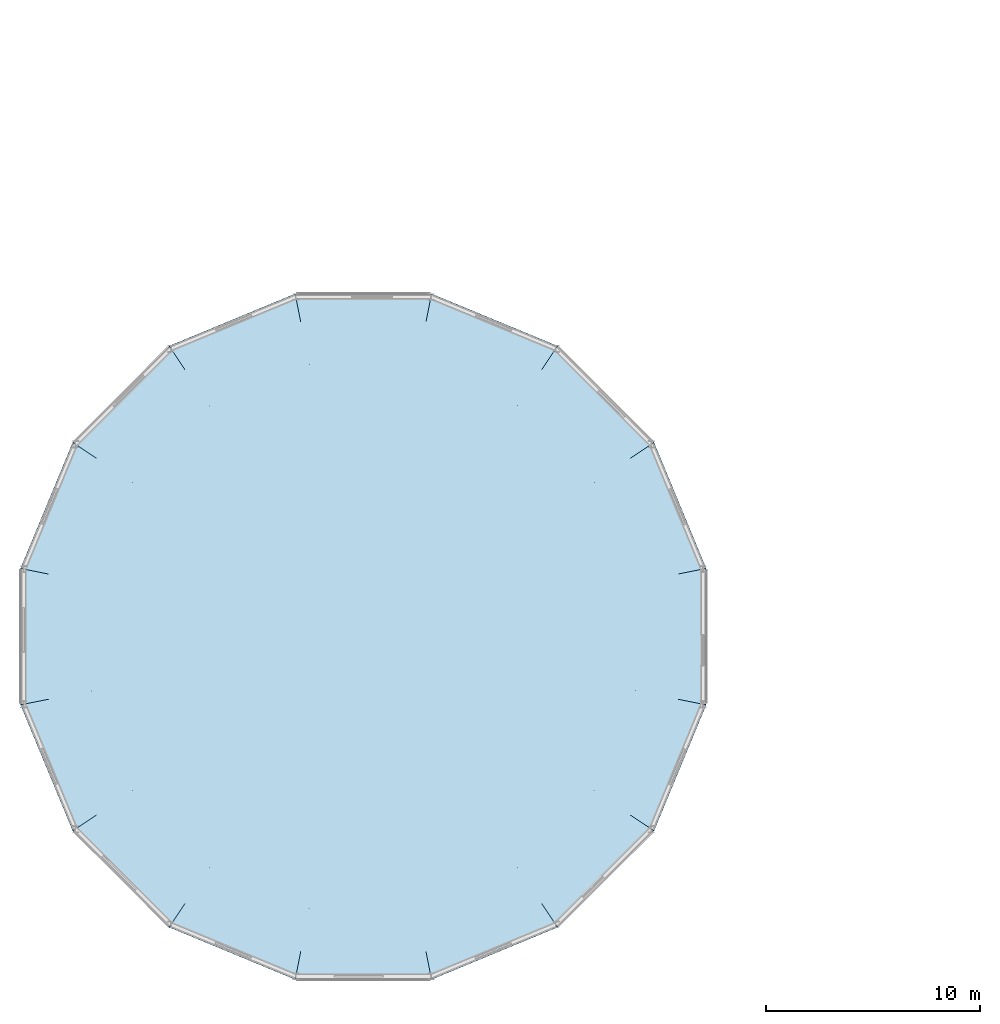
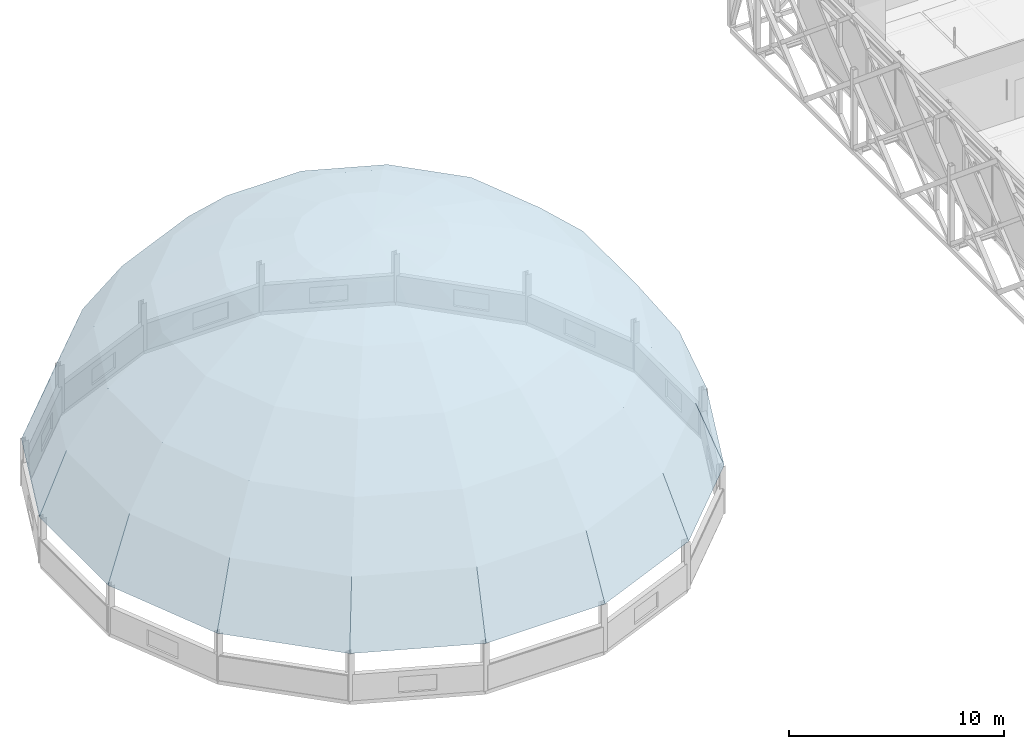
# One storey, part 63 of 66: 1 roof.
"""IFC4 building model written with IfcOpenShell, lengths in metres."""

from ifc_helpers import new_model, si_unit, direction, frame, origin, place, context, subcontext, project, spatial, polygons, material, layer, layer_set, type_object, element, save


model = new_model("IFC4")

# Units and contexts
model_context = context("Model", 3, precision=1e-05, world=origin(), true_north=direction((0.0, 1.0)))
body_context = subcontext(model_context, "Body", "Model", "MODEL_VIEW")
ifc_project = project(units=[si_unit("LENGTHUNIT", "METRE"), si_unit("AREAUNIT", "SQUARE_METRE"), si_unit("VOLUMEUNIT", "CUBIC_METRE"), si_unit("PLANEANGLEUNIT", "RADIAN"), si_unit("MASSUNIT", "GRAM", prefix="KILO"), si_unit("THERMODYNAMICTEMPERATUREUNIT", "KELVIN"), si_unit("POWERUNIT", "WATT")], contexts=[model_context])

# Site, building, storey
site_placement = place(None, origin())
site = spatial("IfcSite", under=ifc_project, at=site_placement, CompositionType="ELEMENT")
building_placement = place(site_placement, origin())
building = spatial("IfcBuilding", under=site, at=building_placement, Name="Tallowbark Science Centre", CompositionType="ELEMENT")
storey_placement = place(building_placement, frame((0.0, 0.0, 18.89990234375)))
storey = spatial("IfcBuildingStorey", under=building, at=storey_placement, Name="L04", CompositionType="ELEMENT", Elevation=18.89990234375)

# Roof
ifc_material = material(Name="Concrete Grade N50 (50 MPa)", Category="concrete")
ifc_layer = layer(ifc_material, 0.25)
ifc_layer_set = layer_set([ifc_layer], Name="Concrete Grade N50 (50 MPa)")
roof_type = type_object("IfcRoofType", Name="ROOF-DOME-N50", PredefinedType="DOME_ROOF", material=ifc_layer_set)
roof_placement = place(storey_placement, origin())
element("IfcRoof", 1, at=roof_placement, inside=storey, type_object=roof_type, Name="Planetarium Grade N50 Reinforced Concrete Dome", PredefinedType="DOME_ROOF", context=body_context, shape_type="Tessellation", body=[
    polygons([(38.535888671875, 21.189697265625, 2.7001953125), (36.094482421875, 27.08349609375, 2.7001953125), (31.58349609375, 31.594482421875, 2.7001953125), (25.689697265625, 34.035888671875, 2.7001953125), (19.310302734375, 34.035888671875, 2.7001953125), (13.41650390625, 31.594482421875, 2.7001953125), (8.905517578125, 27.08349609375, 2.7001953125), (6.464111328125, 21.189697265625, 2.7001953125), (6.464111328125, 14.810302734375, 2.7001953125), (8.905517578125, 8.91650390625, 2.7001953125), (13.41650390625, 4.405517578125, 2.7001953125), (19.310302734375, 1.964111328125, 2.7001953125), (25.689697265625, 1.964111328125, 2.7001953125), (31.58349609375, 4.405517578125, 2.7001953125), (36.094482421875, 8.91650390625, 2.7001953125), (38.535888671875, 14.810302734375, 2.7001953125), (37.23583984375, 20.93115234375, 6.147216796875), (34.992431640625, 26.34716796875, 6.147216796875), (30.84716796875, 30.492431640625, 6.147216796875), (25.43115234375, 32.73583984375, 6.147216796875), (19.56884765625, 32.73583984375, 6.147216796875), (14.15283203125, 30.492431640625, 6.147216796875), (10.007568359375, 26.34716796875, 6.147216796875), (7.76416015625, 20.93115234375, 6.147216796875), (7.76416015625, 15.06884765625, 6.147216796875), (10.007568359375, 9.65283203125, 6.147216796875), (14.15283203125, 5.507568359375, 6.147216796875), (19.56884765625, 3.26416015625, 6.147216796875), (25.43115234375, 3.26416015625, 6.147216796875), (30.84716796875, 5.507568359375, 6.147216796875), (34.992431640625, 9.65283203125, 6.147216796875), (37.23583984375, 15.06884765625, 6.147216796875), (35.23291015625, 20.53271484375, 9.224365234375), (33.29443359375, 25.212646484375, 9.224365234375), (29.712646484375, 28.79443359375, 9.224365234375), (25.03271484375, 30.73291015625, 9.224365234375), (19.96728515625, 30.73291015625, 9.224365234375), (15.287353515625, 28.79443359375, 9.224365234375), (11.70556640625, 25.212646484375, 9.224365234375), (9.76708984375, 20.53271484375, 9.224365234375), (9.76708984375, 15.46728515625, 9.224365234375), (11.70556640625, 10.787353515625, 9.224365234375), (15.287353515625, 7.20556640625, 9.224365234375), (19.96728515625, 5.26708984375, 9.224365234375), (25.03271484375, 5.26708984375, 9.224365234375), (29.712646484375, 7.20556640625, 9.224365234375), (33.29443359375, 10.787353515625, 9.224365234375), (35.23291015625, 15.46728515625, 9.224365234375), (32.62255859375, 20.013427734375, 11.78466796875), (31.08154296875, 23.73388671875, 11.78466796875), (28.23388671875, 26.58154296875, 11.78466796875), (24.513427734375, 28.12255859375, 11.78466796875), (20.486572265625, 28.12255859375, 11.78466796875), (16.76611328125, 26.58154296875, 11.78466796875), (13.91845703125, 23.73388671875, 11.78466796875), (12.37744140625, 20.013427734375, 11.78466796875), (12.37744140625, 15.986572265625, 11.78466796875), (13.91845703125, 12.26611328125, 11.78466796875), (16.76611328125, 9.41845703125, 11.78466796875), (20.486572265625, 7.87744140625, 11.78466796875), (24.513427734375, 7.87744140625, 11.78466796875), (28.23388671875, 9.41845703125, 11.78466796875), (31.08154296875, 12.26611328125, 11.78466796875), (32.62255859375, 15.986572265625, 11.78466796875), (29.529296875, 19.398193359375, 13.7060546875), (28.458984375, 21.981689453125, 13.7060546875), (26.481689453125, 23.958984375, 13.7060546875), (23.898193359375, 25.029296875, 13.7060546875), (21.101806640625, 25.029296875, 13.7060546875), (18.518310546875, 23.958984375, 13.7060546875), (16.541015625, 21.981689453125, 13.7060546875), (15.470703125, 19.398193359375, 13.7060546875), (15.470703125, 16.601806640625, 13.7060546875), (16.541015625, 14.018310546875, 13.7060546875), (18.518310546875, 12.041015625, 13.7060546875), (21.101806640625, 10.970703125, 13.7060546875), (23.898193359375, 10.970703125, 13.7060546875), (26.481689453125, 12.041015625, 13.7060546875), (28.458984375, 14.018310546875, 13.7060546875), (29.529296875, 16.601806640625, 13.7060546875), (26.1005859375, 18.716064453125, 14.896728515625), (25.55224609375, 20.03955078125, 14.896728515625), (24.53955078125, 21.05224609375, 14.896728515625), (23.216064453125, 21.6005859375, 14.896728515625), (21.783935546875, 21.6005859375, 14.896728515625), (20.46044921875, 21.05224609375, 14.896728515625), (19.44775390625, 20.03955078125, 14.896728515625), (18.8994140625, 18.716064453125, 14.896728515625), (18.8994140625, 17.283935546875, 14.896728515625), (19.44775390625, 15.96044921875, 14.896728515625), (20.46044921875, 14.94775390625, 14.896728515625), (21.783935546875, 14.3994140625, 14.896728515625), (23.216064453125, 14.3994140625, 14.896728515625), (24.53955078125, 14.94775390625, 14.896728515625), (25.55224609375, 15.96044921875, 14.896728515625), (26.1005859375, 17.283935546875, 14.896728515625), (22.5, 18.0, 15.300048828125), (38.298828125, 21.142578125, 2.7001953125), (35.8935546875, 26.94921875, 2.7001953125), (31.44921875, 31.3935546875, 2.7001953125), (25.642578125, 33.798828125, 2.7001953125), (19.357421875, 33.798828125, 2.7001953125), (13.55078125, 31.3935546875, 2.7001953125), (9.1064453125, 26.94921875, 2.7001953125), (6.701171875, 21.142578125, 2.7001953125), (6.701171875, 14.857421875, 2.7001953125), (9.1064453125, 9.05078125, 2.7001953125), (13.55078125, 4.6064453125, 2.7001953125), (19.357421875, 2.201171875, 2.7001953125), (25.642578125, 2.201171875, 2.7001953125), (31.44921875, 4.6064453125, 2.7001953125), (35.8935546875, 9.05078125, 2.7001953125), (38.298828125, 14.857421875, 2.7001953125), (37.01806640625, 20.887939453125, 6.032470703125), (34.807861328125, 26.223876953125, 6.032470703125), (30.723876953125, 30.307861328125, 6.032470703125), (25.387939453125, 32.51806640625, 6.032470703125), (19.612060546875, 32.51806640625, 6.032470703125), (14.276123046875, 30.307861328125, 6.032470703125), (10.192138671875, 26.223876953125, 6.032470703125), (7.98193359375, 20.887939453125, 6.032470703125), (7.98193359375, 15.112060546875, 6.032470703125), (10.192138671875, 9.776123046875, 6.032470703125), (14.276123046875, 5.692138671875, 6.032470703125), (19.612060546875, 3.48193359375, 6.032470703125), (25.387939453125, 3.48193359375, 6.032470703125), (30.723876953125, 5.692138671875, 6.032470703125), (34.807861328125, 9.776123046875, 6.032470703125), (37.01806640625, 15.112060546875, 6.032470703125), (35.044677734375, 20.495361328125, 9.064208984375), (33.135009765625, 25.10595703125, 9.064208984375), (29.60595703125, 28.635009765625, 9.064208984375), (24.995361328125, 30.544677734375, 9.064208984375), (20.004638671875, 30.544677734375, 9.064208984375), (15.39404296875, 28.635009765625, 9.064208984375), (11.864990234375, 25.10595703125, 9.064208984375), (9.955322265625, 20.495361328125, 9.064208984375), (9.955322265625, 15.504638671875, 9.064208984375), (11.864990234375, 10.89404296875, 9.064208984375), (15.39404296875, 7.364990234375, 9.064208984375), (20.004638671875, 5.455322265625, 9.064208984375), (24.995361328125, 5.455322265625, 9.064208984375), (29.60595703125, 7.364990234375, 9.064208984375), (33.135009765625, 10.89404296875, 9.064208984375), (35.044677734375, 15.504638671875, 9.064208984375), (32.472900390625, 19.983642578125, 11.586669921875), (30.95458984375, 23.649169921875, 11.586669921875), (28.149169921875, 26.45458984375, 11.586669921875), (24.483642578125, 27.972900390625, 11.586669921875), (20.516357421875, 27.972900390625, 11.586669921875), (16.850830078125, 26.45458984375, 11.586669921875), (14.04541015625, 23.649169921875, 11.586669921875), (12.527099609375, 19.983642578125, 11.586669921875), (12.527099609375, 16.016357421875, 11.586669921875), (14.04541015625, 12.350830078125, 11.586669921875), (16.850830078125, 9.54541015625, 11.586669921875), (20.516357421875, 8.027099609375, 11.586669921875), (24.483642578125, 8.027099609375, 11.586669921875), (28.149169921875, 9.54541015625, 11.586669921875), (30.95458984375, 12.350830078125, 11.586669921875), (32.472900390625, 16.016357421875, 11.586669921875), (29.42529296875, 19.37744140625, 13.4794921875), (28.370849609375, 21.9228515625, 13.4794921875), (26.4228515625, 23.870849609375, 13.4794921875), (23.87744140625, 24.92529296875, 13.4794921875), (21.12255859375, 24.92529296875, 13.4794921875), (18.5771484375, 23.870849609375, 13.4794921875), (16.629150390625, 21.9228515625, 13.4794921875), (15.57470703125, 19.37744140625, 13.4794921875), (15.57470703125, 16.62255859375, 13.4794921875), (16.629150390625, 14.0771484375, 13.4794921875), (18.5771484375, 12.129150390625, 13.4794921875), (21.12255859375, 11.07470703125, 13.4794921875), (23.87744140625, 11.07470703125, 13.4794921875), (26.4228515625, 12.129150390625, 13.4794921875), (28.370849609375, 14.0771484375, 13.4794921875), (29.42529296875, 16.62255859375, 13.4794921875), (26.04736328125, 18.70556640625, 14.65283203125), (25.50732421875, 20.00927734375, 14.65283203125), (24.50927734375, 21.00732421875, 14.65283203125), (23.20556640625, 21.54736328125, 14.65283203125), (21.79443359375, 21.54736328125, 14.65283203125), (20.49072265625, 21.00732421875, 14.65283203125), (19.49267578125, 20.00927734375, 14.65283203125), (18.95263671875, 18.70556640625, 14.65283203125), (18.95263671875, 17.29443359375, 14.65283203125), (19.49267578125, 15.99072265625, 14.65283203125), (20.49072265625, 14.99267578125, 14.65283203125), (21.79443359375, 14.45263671875, 14.65283203125), (23.20556640625, 14.45263671875, 14.65283203125), (24.50927734375, 14.99267578125, 14.65283203125), (25.50732421875, 15.99072265625, 14.65283203125), (26.04736328125, 17.29443359375, 14.65283203125), (22.5, 18.0, 15.050048828125)], [[[1, 2, 18]], [[1, 18, 17]], [[2, 3, 19]], [[2, 19, 18]], [[3, 4, 20]], [[3, 20, 19]], [[4, 5, 21]], [[4, 21, 20]], [[5, 6, 22]], [[5, 22, 21]], [[6, 7, 23]], [[6, 23, 22]], [[7, 8, 24]], [[7, 24, 23]], [[8, 9, 25]], [[8, 25, 24]], [[9, 10, 26]], [[9, 26, 25]], [[10, 11, 27]], [[10, 27, 26]], [[11, 12, 28]], [[11, 28, 27]], [[12, 13, 29]], [[12, 29, 28]], [[13, 14, 30]], [[13, 30, 29]], [[14, 15, 31]], [[14, 31, 30]], [[15, 16, 32]], [[15, 32, 31]], [[16, 1, 17]], [[16, 17, 32]], [[17, 18, 34]], [[17, 34, 33]], [[18, 19, 35]], [[18, 35, 34]], [[19, 20, 36]], [[19, 36, 35]], [[20, 21, 37]], [[20, 37, 36]], [[21, 22, 38]], [[21, 38, 37]], [[22, 23, 39]], [[22, 39, 38]], [[23, 24, 40]], [[23, 40, 39]], [[24, 25, 41]], [[24, 41, 40]], [[25, 26, 42]], [[25, 42, 41]], [[26, 27, 43]], [[26, 43, 42]], [[27, 28, 44]], [[27, 44, 43]], [[28, 29, 45]], [[28, 45, 44]], [[29, 30, 46]], [[29, 46, 45]], [[30, 31, 47]], [[30, 47, 46]], [[31, 32, 48]], [[31, 48, 47]], [[32, 17, 33]], [[32, 33, 48]], [[33, 34, 50]], [[33, 50, 49]], [[34, 35, 51]], [[34, 51, 50]], [[35, 36, 52]], [[35, 52, 51]], [[36, 37, 53]], [[36, 53, 52]], [[37, 38, 54]], [[37, 54, 53]], [[38, 39, 55]], [[38, 55, 54]], [[39, 40, 56]], [[39, 56, 55]], [[40, 41, 57]], [[40, 57, 56]], [[41, 42, 58]], [[41, 58, 57]], [[42, 43, 59]], [[42, 59, 58]], [[43, 44, 60]], [[43, 60, 59]], [[44, 45, 61]], [[44, 61, 60]], [[45, 46, 62]], [[45, 62, 61]], [[46, 47, 63]], [[46, 63, 62]], [[47, 48, 64]], [[47, 64, 63]], [[48, 33, 49]], [[48, 49, 64]], [[49, 50, 66]], [[49, 66, 65]], [[50, 51, 67]], [[50, 67, 66]], [[51, 52, 68]], [[51, 68, 67]], [[52, 53, 69]], [[52, 69, 68]], [[53, 54, 70]], [[53, 70, 69]], [[54, 55, 71]], [[54, 71, 70]], [[55, 56, 72]], [[55, 72, 71]], [[56, 57, 73]], [[56, 73, 72]], [[57, 58, 74]], [[57, 74, 73]], [[58, 59, 75]], [[58, 75, 74]], [[59, 60, 76]], [[59, 76, 75]], [[60, 61, 77]], [[60, 77, 76]], [[61, 62, 78]], [[61, 78, 77]], [[62, 63, 79]], [[62, 79, 78]], [[63, 64, 80]], [[63, 80, 79]], [[64, 49, 65]], [[64, 65, 80]], [[65, 66, 82]], [[65, 82, 81]], [[66, 67, 83]], [[66, 83, 82]], [[67, 68, 84]], [[67, 84, 83]], [[68, 69, 85]], [[68, 85, 84]], [[69, 70, 86]], [[69, 86, 85]], [[70, 71, 87]], [[70, 87, 86]], [[71, 72, 88]], [[71, 88, 87]], [[72, 73, 89]], [[72, 89, 88]], [[73, 74, 90]], [[73, 90, 89]], [[74, 75, 91]], [[74, 91, 90]], [[75, 76, 92]], [[75, 92, 91]], [[76, 77, 93]], [[76, 93, 92]], [[77, 78, 94]], [[77, 94, 93]], [[78, 79, 95]], [[78, 95, 94]], [[79, 80, 96]], [[79, 96, 95]], [[80, 65, 81]], [[80, 81, 96]], [[81, 82, 97]], [[82, 83, 97]], [[83, 84, 97]], [[84, 85, 97]], [[85, 86, 97]], [[86, 87, 97]], [[87, 88, 97]], [[88, 89, 97]], [[89, 90, 97]], [[90, 91, 97]], [[91, 92, 97]], [[92, 93, 97]], [[93, 94, 97]], [[94, 95, 97]], [[95, 96, 97]], [[96, 81, 97]], [[98, 115, 99]], [[98, 114, 115]], [[99, 116, 100]], [[99, 115, 116]], [[100, 117, 101]], [[100, 116, 117]], [[101, 118, 102]], [[101, 117, 118]], [[102, 119, 103]], [[102, 118, 119]], [[103, 120, 104]], [[103, 119, 120]], [[104, 121, 105]], [[104, 120, 121]], [[105, 122, 106]], [[105, 121, 122]], [[106, 123, 107]], [[106, 122, 123]], [[107, 124, 108]], [[107, 123, 124]], [[108, 125, 109]], [[108, 124, 125]], [[109, 126, 110]], [[109, 125, 126]], [[110, 127, 111]], [[110, 126, 127]], [[111, 128, 112]], [[111, 127, 128]], [[112, 129, 113]], [[112, 128, 129]], [[113, 114, 98]], [[113, 129, 114]], [[114, 131, 115]], [[114, 130, 131]], [[115, 132, 116]], [[115, 131, 132]], [[116, 133, 117]], [[116, 132, 133]], [[117, 134, 118]], [[117, 133, 134]], [[118, 135, 119]], [[118, 134, 135]], [[119, 136, 120]], [[119, 135, 136]], [[120, 137, 121]], [[120, 136, 137]], [[121, 138, 122]], [[121, 137, 138]], [[122, 139, 123]], [[122, 138, 139]], [[123, 140, 124]], [[123, 139, 140]], [[124, 141, 125]], [[124, 140, 141]], [[125, 142, 126]], [[125, 141, 142]], [[126, 143, 127]], [[126, 142, 143]], [[127, 144, 128]], [[127, 143, 144]], [[128, 145, 129]], [[128, 144, 145]], [[129, 130, 114]], [[129, 145, 130]], [[130, 147, 131]], [[130, 146, 147]], [[131, 148, 132]], [[131, 147, 148]], [[132, 149, 133]], [[132, 148, 149]], [[133, 150, 134]], [[133, 149, 150]], [[134, 151, 135]], [[134, 150, 151]], [[135, 152, 136]], [[135, 151, 152]], [[136, 153, 137]], [[136, 152, 153]], [[137, 154, 138]], [[137, 153, 154]], [[138, 155, 139]], [[138, 154, 155]], [[139, 156, 140]], [[139, 155, 156]], [[140, 157, 141]], [[140, 156, 157]], [[141, 158, 142]], [[141, 157, 158]], [[142, 159, 143]], [[142, 158, 159]], [[143, 160, 144]], [[143, 159, 160]], [[144, 161, 145]], [[144, 160, 161]], [[145, 146, 130]], [[145, 161, 146]], [[146, 163, 147]], [[146, 162, 163]], [[147, 164, 148]], [[147, 163, 164]], [[148, 165, 149]], [[148, 164, 165]], [[149, 166, 150]], [[149, 165, 166]], [[150, 167, 151]], [[150, 166, 167]], [[151, 168, 152]], [[151, 167, 168]], [[152, 169, 153]], [[152, 168, 169]], [[153, 170, 154]], [[153, 169, 170]], [[154, 171, 155]], [[154, 170, 171]], [[155, 172, 156]], [[155, 171, 172]], [[156, 173, 157]], [[156, 172, 173]], [[157, 174, 158]], [[157, 173, 174]], [[158, 175, 159]], [[158, 174, 175]], [[159, 176, 160]], [[159, 175, 176]], [[160, 177, 161]], [[160, 176, 177]], [[161, 162, 146]], [[161, 177, 162]], [[162, 179, 163]], [[162, 178, 179]], [[163, 180, 164]], [[163, 179, 180]], [[164, 181, 165]], [[164, 180, 181]], [[165, 182, 166]], [[165, 181, 182]], [[166, 183, 167]], [[166, 182, 183]], [[167, 184, 168]], [[167, 183, 184]], [[168, 185, 169]], [[168, 184, 185]], [[169, 186, 170]], [[169, 185, 186]], [[170, 187, 171]], [[170, 186, 187]], [[171, 188, 172]], [[171, 187, 188]], [[172, 189, 173]], [[172, 188, 189]], [[173, 190, 174]], [[173, 189, 190]], [[174, 191, 175]], [[174, 190, 191]], [[175, 192, 176]], [[175, 191, 192]], [[176, 193, 177]], [[176, 192, 193]], [[177, 178, 162]], [[177, 193, 178]], [[179, 178, 194]], [[180, 179, 194]], [[181, 180, 194]], [[182, 181, 194]], [[183, 182, 194]], [[184, 183, 194]], [[185, 184, 194]], [[186, 185, 194]], [[187, 186, 194]], [[188, 187, 194]], [[189, 188, 194]], [[190, 189, 194]], [[191, 190, 194]], [[192, 191, 194]], [[193, 192, 194]], [[178, 193, 194]], [[1, 98, 99]], [[1, 99, 2]], [[2, 99, 100]], [[2, 100, 3]], [[3, 100, 101]], [[3, 101, 4]], [[4, 101, 102]], [[4, 102, 5]], [[5, 102, 103]], [[5, 103, 6]], [[6, 103, 104]], [[6, 104, 7]], [[7, 104, 105]], [[7, 105, 8]], [[8, 105, 106]], [[8, 106, 9]], [[9, 106, 107]], [[9, 107, 10]], [[10, 107, 108]], [[10, 108, 11]], [[11, 108, 109]], [[11, 109, 12]], [[12, 109, 110]], [[12, 110, 13]], [[13, 110, 111]], [[13, 111, 14]], [[14, 111, 112]], [[14, 112, 15]], [[15, 112, 113]], [[15, 113, 16]], [[16, 113, 98]], [[16, 98, 1]]], closed=True),
])

save(model, "model.ifc")
